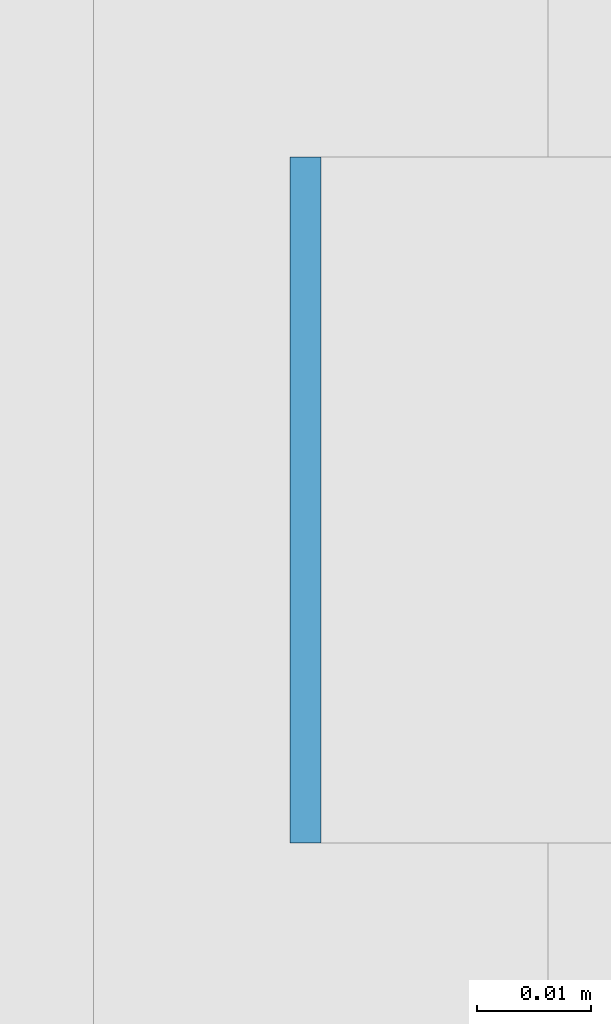
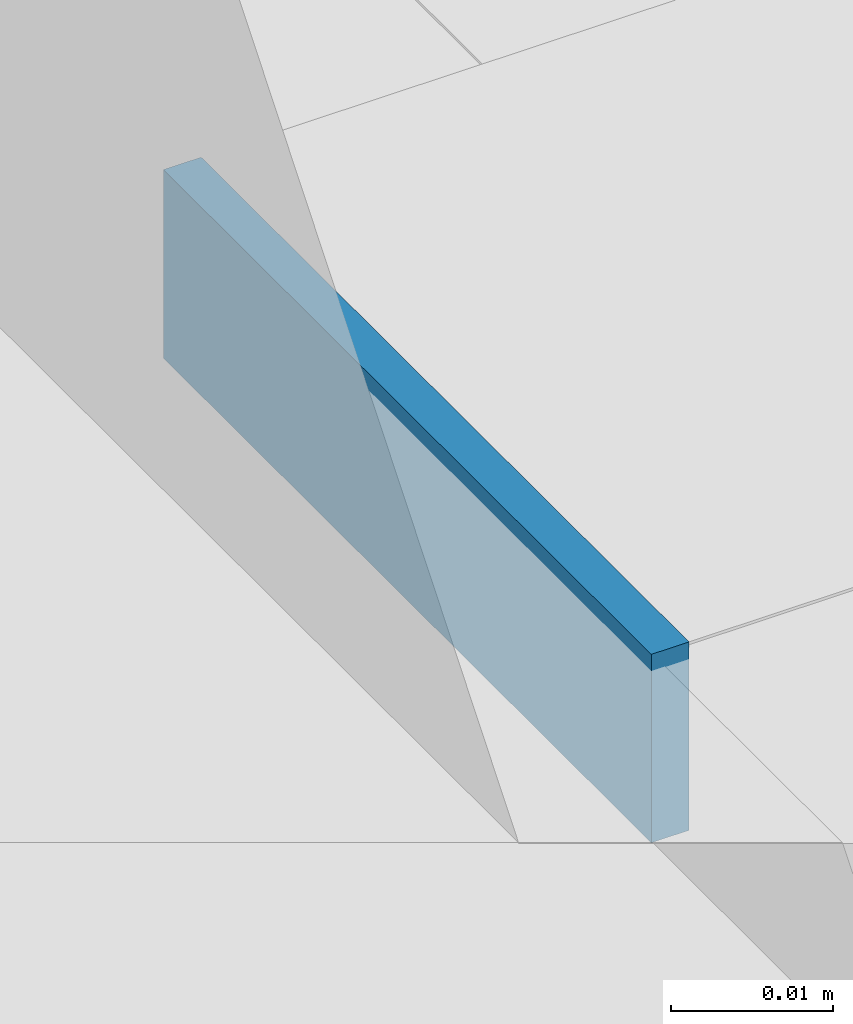
# One storey, part 497 of 646: 1 discrete accessory.
"""IFC4 building model written with IfcOpenShell, lengths in metres."""

from ifc_helpers import new_model, si_unit, direction, frame, origin, origin_2d, place, context, subcontext, project, spatial, rectangle, extrude, material, type_object, element, save


model = new_model("IFC4")

# Units and contexts
model_context = context("Model", 3, precision=1e-05, world=origin(), true_north=direction((0.0, 1.0)))
body_context = subcontext(model_context, "Body", "Model", "MODEL_VIEW")
ifc_project = project(units=[si_unit("LENGTHUNIT", "METRE"), si_unit("AREAUNIT", "SQUARE_METRE"), si_unit("VOLUMEUNIT", "CUBIC_METRE"), si_unit("PLANEANGLEUNIT", "RADIAN"), si_unit("MASSUNIT", "GRAM", prefix="KILO")], contexts=[model_context])

# Site, building, storey
site_placement = place(None, origin())
site = spatial("IfcSite", under=ifc_project, at=site_placement, CompositionType="ELEMENT")
building_placement = place(site_placement, origin())
building = spatial("IfcBuilding", under=site, at=building_placement, Name="Silverbay Arena", CompositionType="ELEMENT")
storey_placement = place(building_placement, frame((0.0, 0.0, 33.5)))
storey = spatial("IfcBuildingStorey", under=building, at=storey_placement, Name="L05", CompositionType="ELEMENT", Elevation=33.5)

# Discrete accessory
ifc_material = material(Name="Steel S355", Category="steel")
discrete_accessory_type = type_object("IfcDiscreteAccessoryType", Name="Steel bracket plate", PredefinedType="BRACKET", material=ifc_material)
discrete_accessory_placement = place(storey_placement, frame((207.128662109375, 65.571533203125, 12.98583984375), z_axis=(0.0, 0.0, 1.0), x_axis=(1.0, 0.0, 0.0)))
element("IfcDiscreteAccessory", 1, at=discrete_accessory_placement, inside=storey, type_object=discrete_accessory_type, Name="Curtain wall packing plate", PredefinedType="BRACKET", context=body_context, shape_type="SweptSolid", body=[
    extrude(rectangle(XDim=0.002685546875, YDim=0.06005859375, at=origin_2d()), origin(), (0.0, 0.0, 1.0), 0.01416015625),
])

save(model, "model.ifc")
